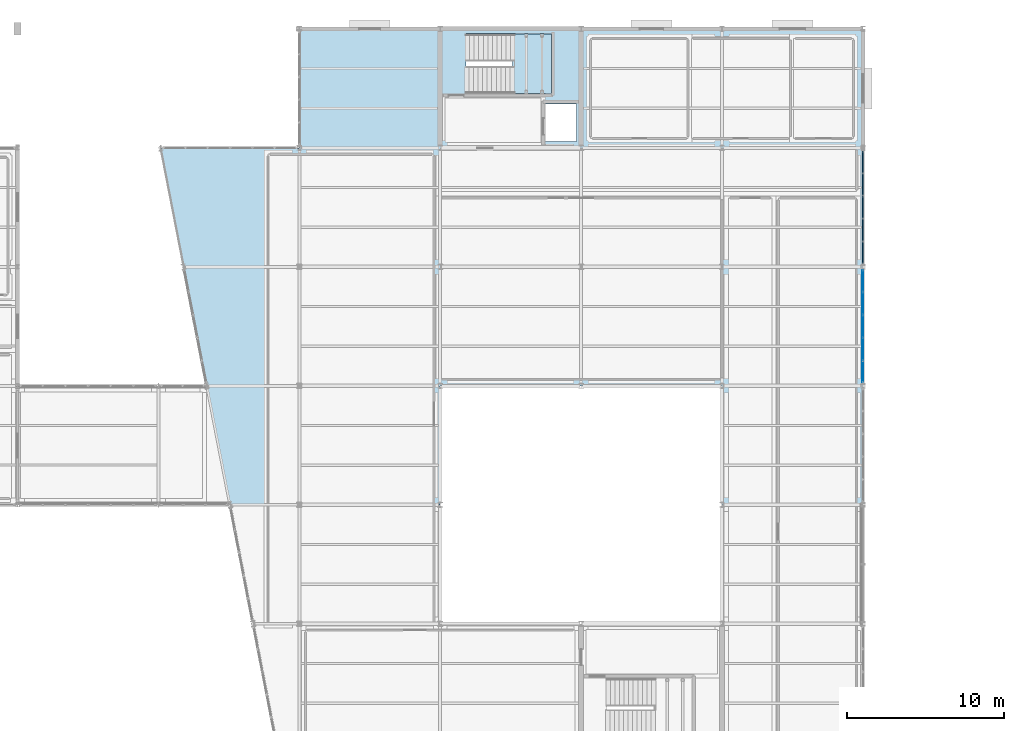
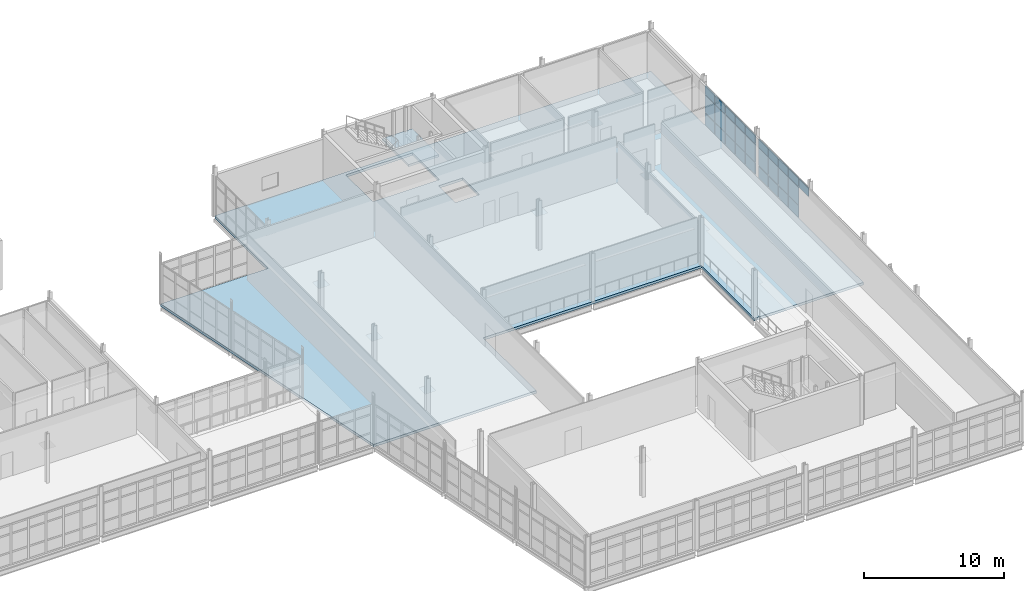
# One storey, part 138 of 166: 28 plates, 2 slabs, 3 elements without a shape of their own.
"""IFC4 building model written with IfcOpenShell, lengths in metres."""

import ifcopenshell
import ifcopenshell.guid

model = None  # the IFC model being written
_history = None  # IfcOwnerHistory: only IFC2X3 demands one
_inside = {}  # id of a spatial element -> (the spatial element, [elements in it])
_under = {}  # id of a project, library or spatial element -> (it, [spatial elements below it])
_declared = {}  # id of a project -> (the project, [libraries it declares])
_typed = {}  # id of a type object -> (the type object, [elements of that type])
_made_of = {}  # id of a material, layer set ... -> (it, [elements and type objects made of it])


def new_model(schema):
    """Start an empty IFC model of exactly this schema.

    Asked for "IFC4X3", IfcOpenShell would pick the latest addendum, in which some entities
    have other attributes; the version numbers below select the first issue.
    IFC2X3 requires an IfcOwnerHistory on every rooted entity: one is made here for all.
    """
    global model, _history
    if schema == "IFC4X3":
        model = ifcopenshell.file(schema_version=(4, 3, 0, 0))
    else:
        model = ifcopenshell.file(schema=schema)
    _inside.clear()
    _under.clear()
    _declared.clear()
    _typed.clear()
    _made_of.clear()
    _history = None
    if model.schema == "IFC2X3":
        org = make("IfcOrganization", Name="unknown")
        user = make(
            "IfcPersonAndOrganization",
            ThePerson=make("IfcPerson", FamilyName="unknown"),
            TheOrganization=org,
        )
        app = make(
            "IfcApplication",
            ApplicationDeveloper=org,
            Version="unknown",
            ApplicationFullName="unknown",
            ApplicationIdentifier="unknown",
        )
        _history = make(
            "IfcOwnerHistory",
            OwningUser=user,
            OwningApplication=app,
            ChangeAction="ADDED",
            CreationDate=0,
        )
    return model


def make(cls, **values):
    """One entity of the class cls with the attributes given. An attribute that is None is left unset."""
    return model.create_entity(
        cls, **{name: value for name, value in values.items() if value is not None}
    )


def rooted(cls, **values):
    """An entity with a GlobalId (a new one), such as an element, a storey or a relation."""
    return make(cls, GlobalId=ifcopenshell.guid.new(), OwnerHistory=_history, **values)


def si_unit(unit_type, name, prefix=None):
    """IfcSIUnit, for example si_unit("LENGTHUNIT", "METRE", prefix="MILLI")."""
    return make("IfcSIUnit", UnitType=unit_type, Prefix=prefix, Name=name)


def assignment(units):
    """IfcUnitAssignment: the units of a project."""
    return None if units is None else make("IfcUnitAssignment", Units=units)


def point(xyz):
    """IfcCartesianPoint."""
    return None if xyz is None else make("IfcCartesianPoint", Coordinates=xyz)


def direction(xyz):
    """IfcDirection."""
    return None if xyz is None else make("IfcDirection", DirectionRatios=xyz)


def frame(location, z_axis=None, x_axis=None):
    """IfcAxis2Placement3D, a coordinate frame: its origin and axes. An axis left out is left unset."""
    return make(
        "IfcAxis2Placement3D",
        Location=point(location),
        Axis=direction(z_axis),
        RefDirection=direction(x_axis),
    )


def frame_2d(location, x_axis=None):
    """IfcAxis2Placement2D, a coordinate frame in the plane: its origin and x axis."""
    return make(
        "IfcAxis2Placement2D", Location=point(location), RefDirection=direction(x_axis)
    )


def origin():
    """The frame at (0, 0, 0) with its axes left unset."""
    return frame((0.0, 0.0, 0.0))


def origin_2d():
    """The frame at (0, 0) in the plane with its x axis left unset."""
    return frame_2d((0.0, 0.0))


def place(relative_to, where):
    """IfcLocalPlacement: puts the frame where relative to a parent placement (None: the world)."""
    return make(
        "IfcLocalPlacement", PlacementRelTo=relative_to, RelativePlacement=where
    )


def context(
    kind, dimensions, precision=None, world=None, true_north=None, identifier=None
):
    """IfcGeometricRepresentationContext, for example the 3D "Model" context."""
    return make(
        "IfcGeometricRepresentationContext",
        ContextIdentifier=identifier,
        ContextType=kind,
        CoordinateSpaceDimension=dimensions,
        Precision=precision,
        WorldCoordinateSystem=world,
        TrueNorth=true_north,
    )


def subcontext(parent, identifier, kind, view, scale=None):
    """IfcGeometricRepresentationSubContext, for example "Body" below "Model"."""
    return make(
        "IfcGeometricRepresentationSubContext",
        ContextIdentifier=identifier,
        ContextType=kind,
        ParentContext=parent,
        TargetScale=scale,
        TargetView=view,
    )


def project(units=None, contexts=None):
    """IfcProject with its units and contexts."""
    return rooted(
        "IfcProject",
        Name="project",
        RepresentationContexts=contexts,
        UnitsInContext=assignment(units),
    )


def spatial(cls, under=None, at=None, **own):
    """A site, building, storey or space (cls), placed at a placement, below another one or the project."""
    s = rooted(cls, ObjectPlacement=at, **own)
    if under is not None:
        _under.setdefault(under.id(), (under, []))[1].append(s)
    return s


def polyline(points):
    """IfcPolyline through the points."""
    return make("IfcPolyline", Points=[point(p) for p in points])


def profile(cls, at=None, kind="AREA", **sizes):
    """A parametric profile (cls). Its sizes go by their IFC names, for example OverallWidth=200.0."""
    return make(cls, ProfileType=kind, Position=at, **sizes)


def rectangle(**sizes):
    """IfcRectangleProfileDef."""
    return profile("IfcRectangleProfileDef", **sizes)


def outline(outer, holes=None, kind="AREA"):
    """IfcArbitraryClosedProfileDef: a profile drawn as a closed curve; with holes, ...WithVoids."""
    if holes is None:
        return make("IfcArbitraryClosedProfileDef", ProfileType=kind, OuterCurve=outer)
    return make(
        "IfcArbitraryProfileDefWithVoids",
        ProfileType=kind,
        OuterCurve=outer,
        InnerCurves=holes,
    )


def extrude(swept, where, along, depth):
    """IfcExtrudedAreaSolid: the profile swept, set in the frame where, extruded along a direction by depth."""
    return make(
        "IfcExtrudedAreaSolid",
        SweptArea=swept,
        Position=where,
        ExtrudedDirection=direction(along),
        Depth=depth,
    )


def shape(context_of_items, identifier, shape_type, items):
    """IfcShapeRepresentation: the items that make up one representation, for example the "Body"."""
    return make(
        "IfcShapeRepresentation",
        ContextOfItems=context_of_items,
        RepresentationIdentifier=identifier,
        RepresentationType=shape_type,
        Items=items,
    )


def material(Name=None, Category=None):
    """IfcMaterial."""
    return make("IfcMaterial", Name=Name, Category=Category)


def layer(
    of_material, thickness, ventilated=None, Name=None, Category=None, Priority=None
):
    """IfcMaterialLayer: one layer of a wall or slab, of a material (None: an air gap)."""
    return make(
        "IfcMaterialLayer",
        Material=of_material,
        LayerThickness=thickness,
        IsVentilated=ventilated,
        Name=Name,
        Category=Category,
        Priority=Priority,
    )


def layer_set(layers, Name=None):
    """IfcMaterialLayerSet."""
    return make("IfcMaterialLayerSet", MaterialLayers=layers, LayerSetName=Name)


def made_of(thing, what):
    """Note that an element or type object is made of a material, layer set ...; save() writes the relation."""
    if what is not None:
        _made_of.setdefault(what.id(), (what, []))[1].append(thing)
    return thing


def type_object(cls, material=None, **own):
    """A type object (cls), such as IfcWallType, which elements share."""
    return made_of(rooted(cls, **own), material)


def element(
    cls,
    number,
    at=None,
    inside=None,
    cuts=None,
    type_object=None,
    material=None,
    context=None,
    identifier="Body",
    shape_type=None,
    held_by="IfcProductDefinitionShape",
    body=None,
    shapes=None,
    **own,
):
    """One element of the class cls, such as IfcWall. Its Tag is "e" and its number.

    at: its placement. inside: the storey or other place that contains it. cuts: it is an
    opening in that element (IfcRelVoidsElement). A single representation is given by context,
    identifier, shape_type and body (its items); several are given by shapes. held_by: the class
    of the entity that holds the representations. save() writes the other relations.
    """
    e = rooted(cls, Tag="e%d" % number, ObjectPlacement=at, **own)
    if body is not None:
        shapes = [shape(context, identifier, shape_type, body)]
    if shapes is not None:
        e.Representation = make(held_by, Representations=shapes)
    if inside is not None:
        _inside.setdefault(inside.id(), (inside, []))[1].append(e)
    if cuts is not None:
        rooted(
            "IfcRelVoidsElement", RelatingBuildingElement=cuts, RelatedOpeningElement=e
        )
    if type_object is not None:
        _typed.setdefault(type_object.id(), (type_object, []))[1].append(e)
    return made_of(e, material)


def aggregate(whole, parts):
    """IfcRelAggregates: a whole, such as a stair, and the parts it consists of."""
    return rooted("IfcRelAggregates", RelatingObject=whole, RelatedObjects=parts)


def save(model, path):
    """Write the relations noted so far, then the file.

    IfcRelAggregates (storeys below a building ...), IfcRelContainedInSpatialStructure (elements
    in a storey), IfcRelDefinesByType, IfcRelAssociatesMaterial and IfcRelDeclares: one each for
    every whole, place, type object, material and project.
    """
    for whole, parts in _under.values():
        aggregate(whole, parts)
    for where, things in _inside.values():
        rooted(
            "IfcRelContainedInSpatialStructure",
            RelatedElements=things,
            RelatingStructure=where,
        )
    for kind, things in _typed.values():
        rooted("IfcRelDefinesByType", RelatedObjects=things, RelatingType=kind)
    for what, things in _made_of.values():
        rooted("IfcRelAssociatesMaterial", RelatedObjects=things, RelatingMaterial=what)
    for by, libraries in _declared.values():
        rooted("IfcRelDeclares", RelatingContext=by, RelatedDefinitions=libraries)
    model.write(path)


model = new_model("IFC4")

# Units and contexts
model_context = context("Model", 3, precision=1e-05, world=origin(), true_north=direction((0.0, 1.0)))
body_context = subcontext(model_context, "Body", "Model", "MODEL_VIEW")
ifc_project = project(units=[si_unit("LENGTHUNIT", "METRE"), si_unit("AREAUNIT", "SQUARE_METRE"), si_unit("VOLUMEUNIT", "CUBIC_METRE"), si_unit("PLANEANGLEUNIT", "RADIAN"), si_unit("MASSUNIT", "GRAM", prefix="KILO")], contexts=[model_context])

# Site, building, storey
site_placement = place(None, origin())
site = spatial("IfcSite", under=ifc_project, at=site_placement, CompositionType="ELEMENT")
building_placement = place(site_placement, origin())
building = spatial("IfcBuilding", under=site, at=building_placement, Name="Caisbarro Railhouse Central Library", CompositionType="ELEMENT")
storey_placement = place(building_placement, frame((0.0, 0.0, 9.360107421875)))
storey = spatial("IfcBuildingStorey", under=building, at=storey_placement, Name="L02", CompositionType="ELEMENT", Elevation=9.360107421875)

# Curtain wall, plates
ifc_material_1 = material(Name="Anodised architectural aluminium", Category="aluminium")
curtain_wall_type = type_object("IfcCurtainWallType", Name="CW-CW03", PredefinedType="NOTDEFINED", material=ifc_material_1)
curtain_wall_1_placement = place(storey_placement, origin())
curtain_wall_1 = element("IfcCurtainWall", 1, at=curtain_wall_1_placement, inside=storey, type_object=curtain_wall_type, Name="CW03 curtain wall L02 #140", PredefinedType="NOTDEFINED")
ifc_material_2 = material(Name="Double low-e laminated solar-control glass", Category="glass")
ifc_layer_1 = layer(ifc_material_2, 0.05810546875, Name="Double low-e laminated solar-control glass")
ifc_layer_set_1 = layer_set([ifc_layer_1], Name="Double low-e laminated solar-control glass")
plate_type_1 = type_object("IfcPlateType", Name="CWP-CP58", PredefinedType="CURTAIN_PANEL", material=ifc_layer_set_1)
plate_1_placement = place(storey_placement, frame((153.0, 92.104248046875, 2.742431640625), z_axis=(0.0, 0.0, 1.0), x_axis=(0.0, 1.0, 0.0)))
plate_1 = element("IfcPlate", 2, at=plate_1_placement, type_object=plate_type_1, Name="CW03 panel 1.3", PredefinedType="CURTAIN_PANEL", context=body_context, shape_type="SweptSolid", body=[
    extrude(rectangle(XDim=1.3583984375, YDim=0.05810546875, at=origin_2d()), origin(), (0.0, 0.0, 1.0), 0.75244140625),
])
plate_2_placement = place(storey_placement, frame((153.0, 93.5439453125, 0.06494140625), z_axis=(0.0, 0.0, 1.0), x_axis=(0.0, 1.0, 0.0)))
plate_2 = element("IfcPlate", 3, at=plate_2_placement, type_object=plate_type_1, Name="CW03 panel 2.1", PredefinedType="CURTAIN_PANEL", context=body_context, shape_type="SweptSolid", body=[
    extrude(rectangle(XDim=1.39111328125, YDim=0.05810546875, at=origin_2d()), origin(), (0.0, 0.0, 1.0), 1.0224609375),
])
plate_3_placement = place(storey_placement, frame((153.0, 93.5439453125, 1.15234375), z_axis=(0.0, 0.0, 1.0), x_axis=(0.0, 1.0, 0.0)))
plate_3 = element("IfcPlate", 4, at=plate_3_placement, type_object=plate_type_1, Name="CW03 panel 2.2", PredefinedType="CURTAIN_PANEL", context=body_context, shape_type="SweptSolid", body=[
    extrude(rectangle(XDim=1.39111328125, YDim=0.05810546875, at=origin_2d()), origin(), (0.0, 0.0, 1.0), 1.52490234375),
])
plate_4_placement = place(storey_placement, frame((153.0, 93.5439453125, 2.742431640625), z_axis=(0.0, 0.0, 1.0), x_axis=(0.0, 1.0, 0.0)))
plate_4 = element("IfcPlate", 5, at=plate_4_placement, type_object=plate_type_1, Name="CW03 panel 2.3", PredefinedType="CURTAIN_PANEL", context=body_context, shape_type="SweptSolid", body=[
    extrude(rectangle(XDim=1.39111328125, YDim=0.05810546875, at=origin_2d()), origin(), (0.0, 0.0, 1.0), 0.75244140625),
])
plate_5_placement = place(storey_placement, frame((153.0, 95.0, 0.06494140625), z_axis=(0.0, 0.0, 1.0), x_axis=(0.0, 1.0, 0.0)))
plate_5 = element("IfcPlate", 6, at=plate_5_placement, type_object=plate_type_1, Name="CW03 panel 3.1", PredefinedType="CURTAIN_PANEL", context=body_context, shape_type="SweptSolid", body=[
    extrude(rectangle(XDim=1.39111328125, YDim=0.05810546875, at=origin_2d()), origin(), (0.0, 0.0, 1.0), 1.0224609375),
])
plate_6_placement = place(storey_placement, frame((153.0, 95.0, 1.15234375), z_axis=(0.0, 0.0, 1.0), x_axis=(0.0, 1.0, 0.0)))
plate_6 = element("IfcPlate", 7, at=plate_6_placement, type_object=plate_type_1, Name="CW03 panel 3.2", PredefinedType="CURTAIN_PANEL", context=body_context, shape_type="SweptSolid", body=[
    extrude(rectangle(XDim=1.39111328125, YDim=0.05810546875, at=origin_2d()), origin(), (0.0, 0.0, 1.0), 1.52490234375),
])
plate_7_placement = place(storey_placement, frame((153.0, 95.0, 2.742431640625), z_axis=(0.0, 0.0, 1.0), x_axis=(0.0, 1.0, 0.0)))
plate_7 = element("IfcPlate", 8, at=plate_7_placement, type_object=plate_type_1, Name="CW03 panel 3.3", PredefinedType="CURTAIN_PANEL", context=body_context, shape_type="SweptSolid", body=[
    extrude(rectangle(XDim=1.39111328125, YDim=0.05810546875, at=origin_2d()), origin(), (0.0, 0.0, 1.0), 0.75244140625),
])
plate_8_placement = place(storey_placement, frame((153.0, 96.4560546875, 0.06494140625), z_axis=(0.0, 0.0, 1.0), x_axis=(0.0, 1.0, 0.0)))
plate_8 = element("IfcPlate", 9, at=plate_8_placement, type_object=plate_type_1, Name="CW03 panel 4.1", PredefinedType="CURTAIN_PANEL", context=body_context, shape_type="SweptSolid", body=[
    extrude(rectangle(XDim=1.39111328125, YDim=0.05810546875, at=origin_2d()), origin(), (0.0, 0.0, 1.0), 1.0224609375),
])
plate_9_placement = place(storey_placement, frame((153.0, 96.4560546875, 1.15234375), z_axis=(0.0, 0.0, 1.0), x_axis=(0.0, 1.0, 0.0)))
plate_9 = element("IfcPlate", 10, at=plate_9_placement, type_object=plate_type_1, Name="CW03 panel 4.2", PredefinedType="CURTAIN_PANEL", context=body_context, shape_type="SweptSolid", body=[
    extrude(rectangle(XDim=1.39111328125, YDim=0.05810546875, at=origin_2d()), origin(), (0.0, 0.0, 1.0), 1.52490234375),
])
plate_10_placement = place(storey_placement, frame((153.0, 96.4560546875, 2.742431640625), z_axis=(0.0, 0.0, 1.0), x_axis=(0.0, 1.0, 0.0)))
plate_10 = element("IfcPlate", 11, at=plate_10_placement, type_object=plate_type_1, Name="CW03 panel 4.3", PredefinedType="CURTAIN_PANEL", context=body_context, shape_type="SweptSolid", body=[
    extrude(rectangle(XDim=1.39111328125, YDim=0.05810546875, at=origin_2d()), origin(), (0.0, 0.0, 1.0), 0.75244140625),
])
plate_11_placement = place(storey_placement, frame((153.0, 97.895751953125, 0.06494140625), z_axis=(0.0, 0.0, 1.0), x_axis=(0.0, 1.0, 0.0)))
plate_11 = element("IfcPlate", 12, at=plate_11_placement, type_object=plate_type_1, Name="CW03 panel 5.1", PredefinedType="CURTAIN_PANEL", context=body_context, shape_type="SweptSolid", body=[
    extrude(rectangle(XDim=1.3583984375, YDim=0.05810546875, at=origin_2d()), origin(), (0.0, 0.0, 1.0), 1.0224609375),
])
plate_12_placement = place(storey_placement, frame((153.0, 97.895751953125, 1.15234375), z_axis=(0.0, 0.0, 1.0), x_axis=(0.0, 1.0, 0.0)))
plate_12 = element("IfcPlate", 13, at=plate_12_placement, type_object=plate_type_1, Name="CW03 panel 5.2", PredefinedType="CURTAIN_PANEL", context=body_context, shape_type="SweptSolid", body=[
    extrude(rectangle(XDim=1.3583984375, YDim=0.05810546875, at=origin_2d()), origin(), (0.0, 0.0, 1.0), 1.52490234375),
])
plate_13_placement = place(storey_placement, frame((153.0, 97.895751953125, 2.742431640625), z_axis=(0.0, 0.0, 1.0), x_axis=(0.0, 1.0, 0.0)))
plate_13 = element("IfcPlate", 14, at=plate_13_placement, type_object=plate_type_1, Name="CW03 panel 5.3", PredefinedType="CURTAIN_PANEL", context=body_context, shape_type="SweptSolid", body=[
    extrude(rectangle(XDim=1.3583984375, YDim=0.05810546875, at=origin_2d()), origin(), (0.0, 0.0, 1.0), 0.75244140625),
])
aggregate(curtain_wall_1, [plate_1, plate_2, plate_3, plate_4, plate_5, plate_6, plate_7, plate_8, plate_9, plate_10, plate_11, plate_12, plate_13])

curtain_wall_2_placement = place(storey_placement, origin())
curtain_wall_2 = element("IfcCurtainWall", 15, at=curtain_wall_2_placement, inside=storey, type_object=curtain_wall_type, Name="CW03 curtain wall L02 #141", PredefinedType="NOTDEFINED")
ifc_layer_2 = layer(ifc_material_2, 0.068115234375, Name="Double low-e laminated solar-control glass")
ifc_layer_set_2 = layer_set([ifc_layer_2], Name="Double low-e laminated solar-control glass")
plate_type_2 = type_object("IfcPlateType", Name="CWP-CP68", PredefinedType="CURTAIN_PANEL", material=ifc_layer_set_2)
plate_14_placement = place(storey_placement, frame((153.0, 99.704345703125, 0.06494140625), z_axis=(0.0, 0.0, 1.0), x_axis=(0.0, 1.0, 0.0)))
plate_14 = element("IfcPlate", 16, at=plate_14_placement, type_object=plate_type_2, Name="CW03 panel 1.1", PredefinedType="CURTAIN_PANEL", context=body_context, shape_type="SweptSolid", body=[
    extrude(rectangle(XDim=1.3583984375, YDim=0.068115234375, at=origin_2d()), origin(), (0.0, 0.0, 1.0), 1.0224609375),
])
plate_15_placement = place(storey_placement, frame((153.0, 99.704345703125, 1.15234375), z_axis=(0.0, 0.0, 1.0), x_axis=(0.0, 1.0, 0.0)))
plate_15 = element("IfcPlate", 17, at=plate_15_placement, type_object=plate_type_2, Name="CW03 panel 1.2", PredefinedType="CURTAIN_PANEL", context=body_context, shape_type="SweptSolid", body=[
    extrude(rectangle(XDim=1.3583984375, YDim=0.068115234375, at=origin_2d()), origin(), (0.0, 0.0, 1.0), 1.52490234375),
])
plate_16_placement = place(storey_placement, frame((153.0, 99.704345703125, 2.742431640625), z_axis=(0.0, 0.0, 1.0), x_axis=(0.0, 1.0, 0.0)))
plate_16 = element("IfcPlate", 18, at=plate_16_placement, type_object=plate_type_2, Name="CW03 panel 1.3", PredefinedType="CURTAIN_PANEL", context=body_context, shape_type="SweptSolid", body=[
    extrude(rectangle(XDim=1.3583984375, YDim=0.068115234375, at=origin_2d()), origin(), (0.0, 0.0, 1.0), 0.75244140625),
])
plate_17_placement = place(storey_placement, frame((153.0, 101.14404296875, 0.06494140625), z_axis=(0.0, 0.0, 1.0), x_axis=(0.0, 1.0, 0.0)))
plate_17 = element("IfcPlate", 19, at=plate_17_placement, type_object=plate_type_2, Name="CW03 panel 2.1", PredefinedType="CURTAIN_PANEL", context=body_context, shape_type="SweptSolid", body=[
    extrude(rectangle(XDim=1.39111328125, YDim=0.068115234375, at=origin_2d()), origin(), (0.0, 0.0, 1.0), 1.0224609375),
])
plate_18_placement = place(storey_placement, frame((153.0, 101.14404296875, 1.15234375), z_axis=(0.0, 0.0, 1.0), x_axis=(0.0, 1.0, 0.0)))
plate_18 = element("IfcPlate", 20, at=plate_18_placement, type_object=plate_type_2, Name="CW03 panel 2.2", PredefinedType="CURTAIN_PANEL", context=body_context, shape_type="SweptSolid", body=[
    extrude(rectangle(XDim=1.39111328125, YDim=0.068115234375, at=origin_2d()), origin(), (0.0, 0.0, 1.0), 1.52490234375),
])
plate_19_placement = place(storey_placement, frame((153.0, 101.14404296875, 2.742431640625), z_axis=(0.0, 0.0, 1.0), x_axis=(0.0, 1.0, 0.0)))
plate_19 = element("IfcPlate", 21, at=plate_19_placement, type_object=plate_type_2, Name="CW03 panel 2.3", PredefinedType="CURTAIN_PANEL", context=body_context, shape_type="SweptSolid", body=[
    extrude(rectangle(XDim=1.39111328125, YDim=0.068115234375, at=origin_2d()), origin(), (0.0, 0.0, 1.0), 0.75244140625),
])
plate_20_placement = place(storey_placement, frame((153.0, 102.60009765625, 0.06494140625), z_axis=(0.0, 0.0, 1.0), x_axis=(0.0, 1.0, 0.0)))
plate_20 = element("IfcPlate", 22, at=plate_20_placement, type_object=plate_type_2, Name="CW03 panel 3.1", PredefinedType="CURTAIN_PANEL", context=body_context, shape_type="SweptSolid", body=[
    extrude(rectangle(XDim=1.39111328125, YDim=0.068115234375, at=origin_2d()), origin(), (0.0, 0.0, 1.0), 1.0224609375),
])
plate_21_placement = place(storey_placement, frame((153.0, 102.60009765625, 1.15234375), z_axis=(0.0, 0.0, 1.0), x_axis=(0.0, 1.0, 0.0)))
plate_21 = element("IfcPlate", 23, at=plate_21_placement, type_object=plate_type_2, Name="CW03 panel 3.2", PredefinedType="CURTAIN_PANEL", context=body_context, shape_type="SweptSolid", body=[
    extrude(rectangle(XDim=1.39111328125, YDim=0.068115234375, at=origin_2d()), origin(), (0.0, 0.0, 1.0), 1.52490234375),
])
plate_22_placement = place(storey_placement, frame((153.0, 102.60009765625, 2.742431640625), z_axis=(0.0, 0.0, 1.0), x_axis=(0.0, 1.0, 0.0)))
plate_22 = element("IfcPlate", 24, at=plate_22_placement, type_object=plate_type_2, Name="CW03 panel 3.3", PredefinedType="CURTAIN_PANEL", context=body_context, shape_type="SweptSolid", body=[
    extrude(rectangle(XDim=1.39111328125, YDim=0.068115234375, at=origin_2d()), origin(), (0.0, 0.0, 1.0), 0.75244140625),
])
plate_23_placement = place(storey_placement, frame((153.0, 104.055908203125, 0.06494140625), z_axis=(0.0, 0.0, 1.0), x_axis=(0.0, 1.0, 0.0)))
plate_23 = element("IfcPlate", 25, at=plate_23_placement, type_object=plate_type_2, Name="CW03 panel 4.1", PredefinedType="CURTAIN_PANEL", context=body_context, shape_type="SweptSolid", body=[
    extrude(rectangle(XDim=1.39111328125, YDim=0.068115234375, at=origin_2d()), origin(), (0.0, 0.0, 1.0), 1.0224609375),
])
plate_24_placement = place(storey_placement, frame((153.0, 104.055908203125, 1.15234375), z_axis=(0.0, 0.0, 1.0), x_axis=(0.0, 1.0, 0.0)))
plate_24 = element("IfcPlate", 26, at=plate_24_placement, type_object=plate_type_2, Name="CW03 panel 4.2", PredefinedType="CURTAIN_PANEL", context=body_context, shape_type="SweptSolid", body=[
    extrude(rectangle(XDim=1.39111328125, YDim=0.068115234375, at=origin_2d()), origin(), (0.0, 0.0, 1.0), 1.52490234375),
])
plate_25_placement = place(storey_placement, frame((153.0, 104.055908203125, 2.742431640625), z_axis=(0.0, 0.0, 1.0), x_axis=(0.0, 1.0, 0.0)))
plate_25 = element("IfcPlate", 27, at=plate_25_placement, type_object=plate_type_2, Name="CW03 panel 4.3", PredefinedType="CURTAIN_PANEL", context=body_context, shape_type="SweptSolid", body=[
    extrude(rectangle(XDim=1.39111328125, YDim=0.068115234375, at=origin_2d()), origin(), (0.0, 0.0, 1.0), 0.75244140625),
])
plate_26_placement = place(storey_placement, frame((153.0, 105.495849609375, 0.06494140625), z_axis=(0.0, 0.0, 1.0), x_axis=(0.0, 1.0, 0.0)))
plate_26 = element("IfcPlate", 28, at=plate_26_placement, type_object=plate_type_2, Name="CW03 panel 5.1", PredefinedType="CURTAIN_PANEL", context=body_context, shape_type="SweptSolid", body=[
    extrude(rectangle(XDim=1.3583984375, YDim=0.068115234375, at=origin_2d()), origin(), (0.0, 0.0, 1.0), 1.0224609375),
])
plate_27_placement = place(storey_placement, frame((153.0, 105.495849609375, 1.15234375), z_axis=(0.0, 0.0, 1.0), x_axis=(0.0, 1.0, 0.0)))
plate_27 = element("IfcPlate", 29, at=plate_27_placement, type_object=plate_type_2, Name="CW03 panel 5.2", PredefinedType="CURTAIN_PANEL", context=body_context, shape_type="SweptSolid", body=[
    extrude(rectangle(XDim=1.3583984375, YDim=0.068115234375, at=origin_2d()), origin(), (0.0, 0.0, 1.0), 1.52490234375),
])
plate_28_placement = place(storey_placement, frame((153.0, 105.495849609375, 2.742431640625), z_axis=(0.0, 0.0, 1.0), x_axis=(0.0, 1.0, 0.0)))
plate_28 = element("IfcPlate", 30, at=plate_28_placement, type_object=plate_type_2, Name="CW03 panel 5.3", PredefinedType="CURTAIN_PANEL", context=body_context, shape_type="SweptSolid", body=[
    extrude(rectangle(XDim=1.3583984375, YDim=0.068115234375, at=origin_2d()), origin(), (0.0, 0.0, 1.0), 0.75244140625),
])
aggregate(curtain_wall_2, [plate_14, plate_15, plate_16, plate_17, plate_18, plate_19, plate_20, plate_21, plate_22, plate_23, plate_24, plate_25, plate_26, plate_27, plate_28])

# Slab
ifc_material_3 = material(Name="Concrete C35", Category="concrete")
ifc_layer_3 = layer(ifc_material_3, 0.219970703125, Name="Concrete C35")
ifc_layer_set_3 = layer_set([ifc_layer_3], Name="Concrete C35")
slab_type_1 = type_object("IfcSlabType", Name="SLB-FL22", PredefinedType="FLOOR", material=ifc_layer_set_3)
slab_1_placement = place(storey_placement, frame((0.0, 0.0, -0.22021484375)))
element("IfcSlab", 31, at=slab_1_placement, inside=storey, type_object=slab_type_1, Name="SF22 structural slab L02 V4.2", PredefinedType="FLOOR", context=body_context, shape_type="SweptSolid", body=[
    extrude(outline(polyline([(112.568115234375, 83.60009765625), (126.0, 83.60009765625), (126.0, 91.199951171875), (144.0, 91.199951171875), (144.0, 83.60009765625), (153.0, 83.60009765625), (153.0, 114.0), (117.0, 114.0), (117.0, 106.39990234375), (108.135986328125, 106.39990234375), (112.568115234375, 83.60009765625)]), holes=[polyline([(127.64990234375, 109.85009765625), (133.14990234375, 109.85009765625), (133.14990234375, 113.699951171875), (127.64990234375, 113.699951171875), (127.64990234375, 109.85009765625)]), polyline([(132.699951171875, 106.800048828125), (134.699951171875, 106.800048828125), (134.699951171875, 109.199951171875), (132.699951171875, 109.199951171875), (132.699951171875, 106.800048828125)])]), origin(), (0.0, 0.0, 1.0), 0.22021484375),
])

# Stair, slab
stair_type = type_object("IfcStairType", Name="STR-ST43B", PredefinedType="HALF_TURN_STAIR", material=ifc_material_3)
stair_placement = place(storey_placement, origin())
stair = element("IfcStair", 32, at=stair_placement, inside=storey, type_object=stair_type, Name="Protected Stair ST-03 (L02)", PredefinedType="HALF_TURN_STAIR")
ifc_layer_4 = layer(ifc_material_3, 0.18994140625, Name="Concrete C35")
ifc_layer_set_4 = layer_set([ifc_layer_4], Name="Concrete C35")
slab_type_2 = type_object("IfcSlabType", Name="SLB-LND19", PredefinedType="LANDING", material=ifc_layer_set_4)
slab_2_placement = place(storey_placement, frame((0.0, 0.0, 1.969970703125)))
slab_2 = element("IfcSlab", 33, at=slab_2_placement, type_object=slab_type_2, Name="ST-03 landing 1", PredefinedType="LANDING", context=body_context, shape_type="SweptSolid", body=[
    extrude(outline(polyline([(130.6201171875, 109.889892578125), (133.1201171875, 109.889892578125), (133.1201171875, 113.659912109375), (130.6201171875, 113.659912109375), (130.6201171875, 109.889892578125)])), origin(), (0.0, 0.0, 1.0), 0.18994140625),
])
aggregate(stair, [slab_2])

save(model, "model.ifc")
